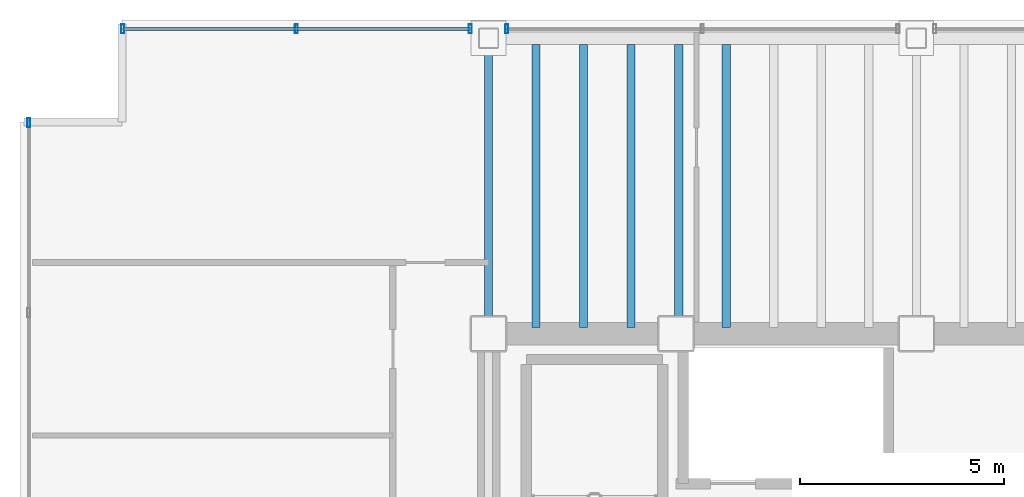
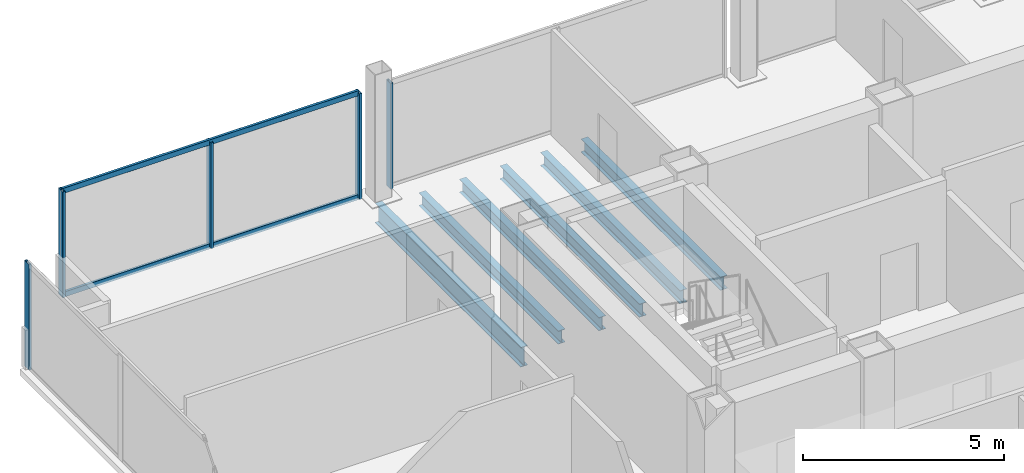
# One storey, part 8 of 19: 7 members, 6 beams, 3 elements without a shape of their own.
"""IFC4 building model written with IfcOpenShell, lengths in metres."""

from ifc_helpers import new_model, si_unit, direction, frame, origin, origin_2d, place, context, subcontext, project, spatial, hollow_rectangle, i_section, extrude, material, material_profile, profile_set, type_object, element, aggregate, save


model = new_model("IFC4")

# Units and contexts
model_context = context("Model", 3, precision=1e-05, world=origin(), true_north=direction((0.0, 1.0)))
body_context = subcontext(model_context, "Body", "Model", "MODEL_VIEW")
ifc_project = project(units=[si_unit("LENGTHUNIT", "METRE"), si_unit("AREAUNIT", "SQUARE_METRE"), si_unit("VOLUMEUNIT", "CUBIC_METRE"), si_unit("PLANEANGLEUNIT", "RADIAN"), si_unit("MASSUNIT", "GRAM", prefix="KILO")], contexts=[model_context])

# Site, building, storey
site_placement = place(None, origin())
site = spatial("IfcSite", under=ifc_project, at=site_placement, CompositionType="ELEMENT")
building_placement = place(site_placement, origin())
building = spatial("IfcBuilding", under=site, at=building_placement, Name="Noeulbin Bourse Tower", CompositionType="ELEMENT")
storey_placement = place(building_placement, frame((0.0, 0.0, 146.10009765625)))
storey = spatial("IfcBuildingStorey", under=building, at=storey_placement, Name="L36", CompositionType="ELEMENT", Elevation=146.10009765625)

# Beams
ifc_material_1 = material(Name="Steel S355", Category="steel")
ifc_material_profile_1 = material_profile(ifc_material_1, i_section(OverallWidth=0.199951171875, OverallDepth=0.60009765625, WebThickness=0.010986328125, FlangeThickness=0.01708984375, FilletRadius=0.02197265625, at=origin_2d()), Name="H-600x200x11x17", Category="LoadBearing")
ifc_profile_set_1 = profile_set([ifc_material_profile_1], Name="Steel S355")
beam_type_1 = type_object("IfcBeamType", Name="BM-GRD-600", PredefinedType="USERDEFINED", material=ifc_profile_set_1)
beam_placement = place(storey_placement, frame((13.5, 38.300048828125, -0.47998046875), z_axis=(0.0, 1.0, 0.0), x_axis=(-1.0, 0.0, 0.0)))
element("IfcBeam", 1, at=beam_placement, inside=storey, type_object=beam_type_1, Name="Tower Primary Girder NS L36-1.4", ObjectType="GIRDER", PredefinedType="USERDEFINED", context=body_context, shape_type="SweptSolid", body=[
    extrude(i_section(OverallWidth=0.199951171875, OverallDepth=0.60009765625, WebThickness=0.010986328125, FlangeThickness=0.01708984375, FilletRadius=0.02197265625, at=origin_2d()), origin(), (0.0, 0.0, 1.0), 7.25),
])
ifc_material_profile_2 = material_profile(ifc_material_1, i_section(OverallWidth=0.199951171875, OverallDepth=0.39990234375, WebThickness=0.008056640625, FlangeThickness=0.012939453125, FilletRadius=0.01611328125, at=origin_2d()), Name="H-400x200x8x13", Category="LoadBearing")
ifc_profile_set_2 = profile_set([ifc_material_profile_2], Name="Steel S355")
beam_type_2 = type_object("IfcBeamType", Name="BM-SEC-400", PredefinedType="BEAM", material=ifc_profile_set_2)
for number, where, z_axis, x_axis, name in (
    (2, (14.666748046875, 38.449951171875, -0.380126953125), (0.0, 1.0, 0.0), (-1.0, 0.0, 0.0), "Tower Composite Joist L36-03"),
    (3, (15.833251953125, 38.449951171875, -0.380126953125), (0.0, 1.0, 0.0), (-1.0, 0.0, 0.0), "Tower Composite Joist L36-06"),
    (4, (17.0, 38.449951171875, -0.380126953125), (0.0, 1.0, 0.0), (-1.0, 0.0, 0.0), "Tower Composite Joist L36-09"),
    (5, (18.166748046875, 38.449951171875, -0.380126953125), (0.0, 1.0, 0.0), (-1.0, 0.0, 0.0), "Tower Composite Joist L36-12"),
    (6, (19.333251953125, 38.449951171875, -0.380126953125), (0.0, 1.0, 0.0), (-1.0, 0.0, 0.0), "Tower Composite Joist L36-15"),
):
    element("IfcBeam", number, at=place(storey_placement, frame(where, z_axis=z_axis, x_axis=x_axis)), inside=storey, type_object=beam_type_2, Name=name, PredefinedType="BEAM", context=body_context, shape_type="SweptSolid", body=[
        extrude(i_section(OverallWidth=0.199951171875, OverallDepth=0.39990234375, WebThickness=0.008056640625, FlangeThickness=0.012939453125, FilletRadius=0.01611328125, at=origin_2d()), origin(), (0.0, 0.0, 1.0), 6.949951171875),
    ])

# Curtain wall, members
ifc_material_2 = material(Name="Dark Tinted Triple Glazing", Category="glass")
curtain_wall_type = type_object("IfcCurtainWallType", Name="CW-SYS-3", PredefinedType="NOTDEFINED", material=ifc_material_2)
curtain_wall_1_placement = place(storey_placement, origin())
curtain_wall_1 = element("IfcCurtainWall", 7, at=curtain_wall_1_placement, inside=storey, type_object=curtain_wall_type, Name="Unitised Curtain Wall CW-L36-N-S1", PredefinedType="NOTDEFINED")
ifc_material_3 = material(Name="Anodised Aluminium 6063-T6", Category="aluminium")
ifc_material_profile_3 = material_profile(ifc_material_3, hollow_rectangle(XDim=0.074951171875, YDim=0.219970703125, WallThickness=0.0048828125, InnerFilletRadius=0.00244140625, OuterFilletRadius=0.0048828125, at=origin_2d()), Name="ALU-MULL-75x220x5", Category="LoadBearing")
ifc_profile_set_3 = profile_set([ifc_material_profile_3], Name="Anodised Aluminium 6063-T6")
member_type_1 = type_object("IfcMemberType", Name="CW-SYS-3-MUL", PredefinedType="MULLION", material=ifc_profile_set_3)
member_1_placement = place(storey_placement, frame((4.52001953125, 45.780029296875, -0.02001953125), z_axis=(0.0, 0.0, 1.0), x_axis=(1.0, 0.0, 0.0)))
member_1 = element("IfcMember", 8, at=member_1_placement, type_object=member_type_1, Name="Curtain Wall Mullion CW-L36-N-S1-M00", PredefinedType="MULLION", context=body_context, shape_type="SweptSolid", body=[
    extrude(hollow_rectangle(XDim=0.074951171875, YDim=0.219970703125, WallThickness=0.0048828125, InnerFilletRadius=0.00244140625, OuterFilletRadius=0.0048828125, at=origin_2d()), origin(), (0.0, 0.0, 1.0), 3.219970703125),
])
member_2_placement = place(storey_placement, frame((8.784912109375, 45.780029296875, -0.02001953125), z_axis=(0.0, 0.0, 1.0), x_axis=(1.0, 0.0, 0.0)))
member_2 = element("IfcMember", 9, at=member_2_placement, type_object=member_type_1, Name="Curtain Wall Mullion CW-L36-N-S1-M01", PredefinedType="MULLION", context=body_context, shape_type="SweptSolid", body=[
    extrude(hollow_rectangle(XDim=0.074951171875, YDim=0.219970703125, WallThickness=0.0048828125, InnerFilletRadius=0.00244140625, OuterFilletRadius=0.0048828125, at=origin_2d()), origin(), (0.0, 0.0, 1.0), 3.219970703125),
])
member_3_placement = place(storey_placement, frame((13.050048828125, 45.780029296875, -0.02001953125), z_axis=(0.0, 0.0, 1.0), x_axis=(1.0, 0.0, 0.0)))
member_3 = element("IfcMember", 10, at=member_3_placement, type_object=member_type_1, Name="Curtain Wall Mullion CW-L36-N-S1-M02", PredefinedType="MULLION", context=body_context, shape_type="SweptSolid", body=[
    extrude(hollow_rectangle(XDim=0.074951171875, YDim=0.219970703125, WallThickness=0.0048828125, InnerFilletRadius=0.00244140625, OuterFilletRadius=0.0048828125, at=origin_2d()), origin(), (0.0, 0.0, 1.0), 3.219970703125),
])

# Curtain wall, member
curtain_wall_2_placement = place(storey_placement, origin())
curtain_wall_2 = element("IfcCurtainWall", 11, at=curtain_wall_2_placement, inside=storey, type_object=curtain_wall_type, Name="Unitised Curtain Wall CW-L36-N-S2", PredefinedType="NOTDEFINED")
member_4_placement = place(storey_placement, frame((13.949951171875, 45.780029296875, -0.02001953125), z_axis=(0.0, 0.0, 1.0), x_axis=(1.0, 0.0, 0.0)))
member_4 = element("IfcMember", 12, at=member_4_placement, type_object=member_type_1, Name="Curtain Wall Mullion CW-L36-N-S2-M00", PredefinedType="MULLION", context=body_context, shape_type="SweptSolid", body=[
    extrude(hollow_rectangle(XDim=0.074951171875, YDim=0.219970703125, WallThickness=0.0048828125, InnerFilletRadius=0.00244140625, OuterFilletRadius=0.0048828125, at=origin_2d()), origin(), (0.0, 0.0, 1.0), 3.219970703125),
])
aggregate(curtain_wall_2, [member_4])

curtain_wall_3_placement = place(storey_placement, origin())
curtain_wall_3 = element("IfcCurtainWall", 13, at=curtain_wall_3_placement, inside=storey, type_object=curtain_wall_type, Name="Unitised Curtain Wall CW-L36-W-S2", PredefinedType="NOTDEFINED")
member_5_placement = place(storey_placement, frame((2.219970703125, 43.47998046875, -0.02001953125), z_axis=(0.0, 0.0, 1.0), x_axis=(1.0, 0.0, 0.0)))
member_5 = element("IfcMember", 14, at=member_5_placement, type_object=member_type_1, Name="Curtain Wall Mullion CW-L36-W-S2-M03", PredefinedType="MULLION", context=body_context, shape_type="SweptSolid", body=[
    extrude(hollow_rectangle(XDim=0.074951171875, YDim=0.219970703125, WallThickness=0.0048828125, InnerFilletRadius=0.00244140625, OuterFilletRadius=0.0048828125, at=origin_2d()), origin(), (0.0, 0.0, 1.0), 3.219970703125),
])
aggregate(curtain_wall_3, [member_5])

# Member
ifc_material_profile_4 = material_profile(ifc_material_3, hollow_rectangle(XDim=0.074951171875, YDim=0.159912109375, WallThickness=0.0048828125, InnerFilletRadius=0.00244140625, OuterFilletRadius=0.0048828125, at=origin_2d()), Name="ALU-TRAN-75x160x5", Category="LoadBearing")
ifc_profile_set_4 = profile_set([ifc_material_profile_4], Name="Anodised Aluminium 6063-T6")
member_type_2 = type_object("IfcMemberType", Name="CW-SYS-3-TRN", PredefinedType="USERDEFINED", material=ifc_profile_set_4)
member_6_placement = place(storey_placement, frame((4.530029296875, 45.780029296875, 0.010009765625), z_axis=(1.0, 0.0, 0.0), x_axis=(0.0, 1.0, 0.0)))
member_6 = element("IfcMember", 15, at=member_6_placement, type_object=member_type_2, Name="Curtain Wall Transom CW-L36-N-S1-T00", ObjectType="TRANSOM", PredefinedType="USERDEFINED", context=body_context, shape_type="SweptSolid", body=[
    extrude(hollow_rectangle(XDim=0.074951171875, YDim=0.159912109375, WallThickness=0.0048828125, InnerFilletRadius=0.00244140625, OuterFilletRadius=0.0048828125, at=origin_2d()), origin(), (0.0, 0.0, 1.0), 8.510009765625),
])

member_7_placement = place(storey_placement, frame((4.530029296875, 45.780029296875, 3.169921875), z_axis=(1.0, 0.0, 0.0), x_axis=(0.0, 1.0, 0.0)))
member_7 = element("IfcMember", 16, at=member_7_placement, type_object=member_type_2, Name="Curtain Wall Transom CW-L36-N-S1-T01", ObjectType="TRANSOM", PredefinedType="USERDEFINED", context=body_context, shape_type="SweptSolid", body=[
    extrude(hollow_rectangle(XDim=0.074951171875, YDim=0.159912109375, WallThickness=0.0048828125, InnerFilletRadius=0.00244140625, OuterFilletRadius=0.0048828125, at=origin_2d()), origin(), (0.0, 0.0, 1.0), 8.510009765625),
])

aggregate(curtain_wall_1, [member_1, member_2, member_3, member_6, member_7])

save(model, "model.ifc")
